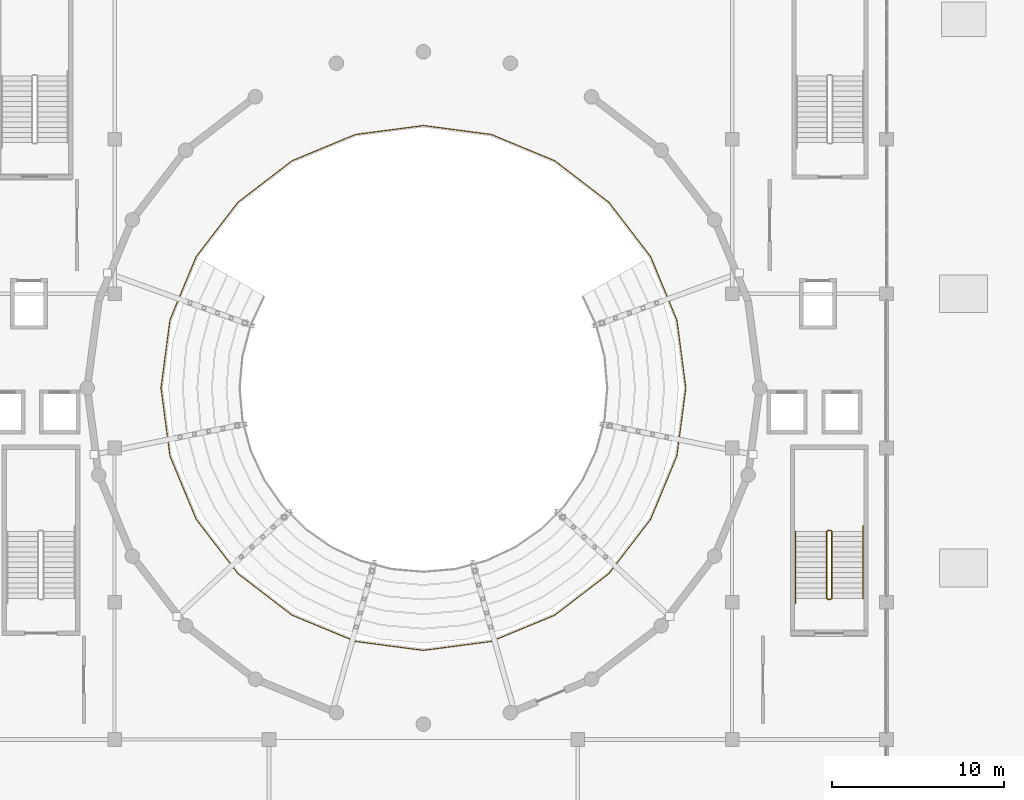
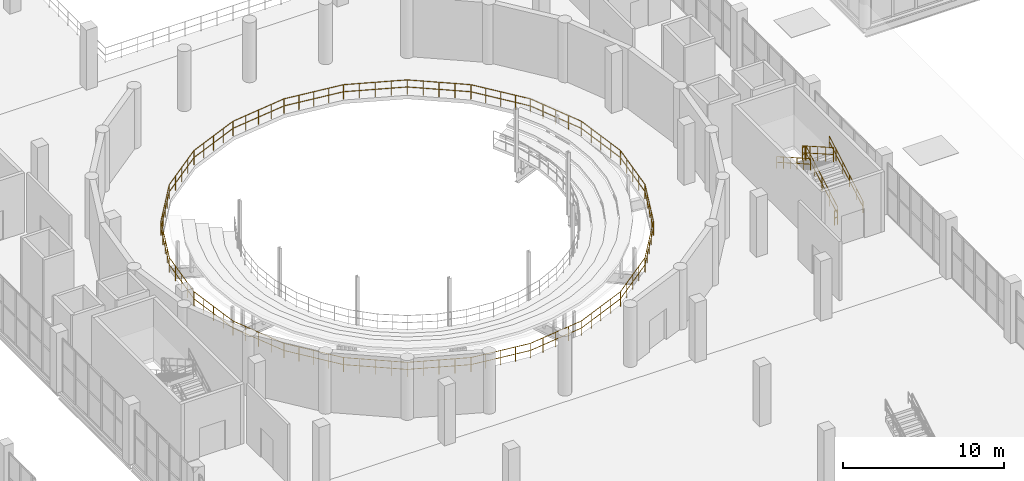
# One storey, part 87 of 93: 7 railings.
"""IFC4 building model written with IfcOpenShell, lengths in metres."""

from ifc_helpers import new_model, si_unit, direction, frame, origin, origin_2d, place, context, subcontext, project, spatial, circle, extrude, material, type_object, element, save


model = new_model("IFC4")

# Units and contexts
model_context = context("Model", 3, precision=1e-05, world=origin(), true_north=direction((0.0, 1.0)))
body_context = subcontext(model_context, "Body", "Model", "MODEL_VIEW")
ifc_project = project(units=[si_unit("LENGTHUNIT", "METRE"), si_unit("AREAUNIT", "SQUARE_METRE"), si_unit("VOLUMEUNIT", "CUBIC_METRE"), si_unit("PLANEANGLEUNIT", "RADIAN"), si_unit("MASSUNIT", "GRAM", prefix="KILO")], contexts=[model_context])

# Site, building, storey
site_placement = place(None, origin())
site = spatial("IfcSite", under=ifc_project, at=site_placement, CompositionType="ELEMENT")
building_placement = place(site_placement, origin())
building = spatial("IfcBuilding", under=site, at=building_placement, Name="Marnock Terrace Opera House", CompositionType="ELEMENT")
storey_placement = place(building_placement, frame((0.0, 0.0, 5.39990234375)))
storey = spatial("IfcBuildingStorey", under=building, at=storey_placement, Name="L01", CompositionType="ELEMENT", Elevation=5.39990234375)

# Railings
ifc_material = material(Name="Architectural bronze balustrade")
railing_type_1 = type_object("IfcRailingType", Name="RL-ATRIUM-1120", PredefinedType="BALUSTRADE", material=ifc_material)
railing_1_placement = place(storey_placement, frame((97.300048828125, 60.5, 0.0)))
element("IfcRailing", 1, at=railing_1_placement, inside=storey, type_object=railing_type_1, Name="L01 floor opening balustrade AUD-BOWL", PredefinedType="BALUSTRADE", context=body_context, shape_type="SweptSolid", body=[
    extrude(circle(Radius=0.02392578125, at=origin_2d()), frame((0.0, 0.0, 1.09619140625), z_axis=(-0.130441863031, 0.991455959874, 0.0), x_axis=(-0.991455959874, -0.130441863031, 0.0)), (0.0, 0.0, 1.0), 3.994140625),
    extrude(circle(Radius=0.02392578125, at=origin_2d()), frame((0.0, 0.0, 0.56005859375), z_axis=(-0.130441863031, 0.991455959874, 0.0), x_axis=(-0.991455959874, -0.130441863031, 0.0)), (0.0, 0.0, 1.0), 3.994140625),
    extrude(circle(Radius=0.02392578125, at=origin_2d()), frame((-0.52099609375, 3.9599609375, 1.09619140625), z_axis=(-0.382817835692, 0.923823849376, 0.0), x_axis=(-0.923823849376, -0.382817835692, 0.0)), (0.0, 0.0, 1.0), 3.994140625),
    extrude(circle(Radius=0.02392578125, at=origin_2d()), frame((-0.52099609375, 3.9599609375, 0.56005859375), z_axis=(-0.382817835692, 0.923823849376, 0.0), x_axis=(-0.923823849376, -0.382817835692, 0.0)), (0.0, 0.0, 1.0), 3.994140625),
    extrude(circle(Radius=0.02392578125, at=origin_2d()), frame((-2.050048828125, 7.64990234375, 1.09619140625), z_axis=(-0.6086201623, 0.793461718069, 0.0), x_axis=(-0.793461718069, -0.6086201623, 0.0)), (0.0, 0.0, 1.0), 3.994140625),
    extrude(circle(Radius=0.02392578125, at=origin_2d()), frame((-2.050048828125, 7.64990234375, 0.56005859375), z_axis=(-0.6086201623, 0.793461718069, 0.0), x_axis=(-0.793461718069, -0.6086201623, 0.0)), (0.0, 0.0, 1.0), 3.994140625),
    extrude(circle(Radius=0.02392578125, at=origin_2d()), frame((-4.48095703125, 10.819091796875, 1.09619140625), z_axis=(-0.793461718069, 0.6086201623, 0.0), x_axis=(-0.6086201623, -0.793461718069, 0.0)), (0.0, 0.0, 1.0), 3.994140625),
    extrude(circle(Radius=0.02392578125, at=origin_2d()), frame((-4.48095703125, 10.819091796875, 0.56005859375), z_axis=(-0.793461718069, 0.6086201623, 0.0), x_axis=(-0.6086201623, -0.793461718069, 0.0)), (0.0, 0.0, 1.0), 3.994140625),
    extrude(circle(Radius=0.02392578125, at=origin_2d()), frame((-7.650146484375, 13.25, 1.09619140625), z_axis=(-0.923823849376, 0.382817835692, 0.0), x_axis=(-0.382817835692, -0.923823849376, 0.0)), (0.0, 0.0, 1.0), 3.994140625),
    extrude(circle(Radius=0.02392578125, at=origin_2d()), frame((-7.650146484375, 13.25, 0.56005859375), z_axis=(-0.923823849376, 0.382817835692, 0.0), x_axis=(-0.382817835692, -0.923823849376, 0.0)), (0.0, 0.0, 1.0), 3.994140625),
    extrude(circle(Radius=0.02392578125, at=origin_2d()), frame((-11.340087890625, 14.779052734375, 1.09619140625), z_axis=(-0.991455959874, 0.130441863031, 0.0), x_axis=(-0.130441863031, -0.991455959874, 0.0)), (0.0, 0.0, 1.0), 3.994140625),
    extrude(circle(Radius=0.02392578125, at=origin_2d()), frame((-11.340087890625, 14.779052734375, 0.56005859375), z_axis=(-0.991455959874, 0.130441863031, 0.0), x_axis=(-0.130441863031, -0.991455959874, 0.0)), (0.0, 0.0, 1.0), 3.994140625),
    extrude(circle(Radius=0.02392578125, at=origin_2d()), frame((-15.300048828125, 15.300048828125, 1.09619140625), z_axis=(-0.991455959874, -0.130441863031, 0.0), x_axis=(0.130441863031, -0.991455959874, 0.0)), (0.0, 0.0, 1.0), 3.994140625),
    extrude(circle(Radius=0.02392578125, at=origin_2d()), frame((-15.300048828125, 15.300048828125, 0.56005859375), z_axis=(-0.991455959874, -0.130441863031, 0.0), x_axis=(0.130441863031, -0.991455959874, 0.0)), (0.0, 0.0, 1.0), 3.994140625),
    extrude(circle(Radius=0.02392578125, at=origin_2d()), frame((-19.260009765625, 14.779052734375, 1.09619140625), z_axis=(-0.923823849376, -0.382817835692, 0.0), x_axis=(0.382817835692, -0.923823849376, 0.0)), (0.0, 0.0, 1.0), 3.994140625),
    extrude(circle(Radius=0.02392578125, at=origin_2d()), frame((-19.260009765625, 14.779052734375, 0.56005859375), z_axis=(-0.923823849376, -0.382817835692, 0.0), x_axis=(0.382817835692, -0.923823849376, 0.0)), (0.0, 0.0, 1.0), 3.994140625),
    extrude(circle(Radius=0.02392578125, at=origin_2d()), frame((-22.949951171875, 13.25, 1.09619140625), z_axis=(-0.793461718069, -0.6086201623, 0.0), x_axis=(0.6086201623, -0.793461718069, 0.0)), (0.0, 0.0, 1.0), 3.994140625),
    extrude(circle(Radius=0.02392578125, at=origin_2d()), frame((-22.949951171875, 13.25, 0.56005859375), z_axis=(-0.793461718069, -0.6086201623, 0.0), x_axis=(0.6086201623, -0.793461718069, 0.0)), (0.0, 0.0, 1.0), 3.994140625),
    extrude(circle(Radius=0.02392578125, at=origin_2d()), frame((-26.119140625, 10.819091796875, 1.09619140625), z_axis=(-0.6086201623, -0.793461718069, 0.0), x_axis=(0.793461718069, -0.6086201623, 0.0)), (0.0, 0.0, 1.0), 3.994140625),
    extrude(circle(Radius=0.02392578125, at=origin_2d()), frame((-26.119140625, 10.819091796875, 0.56005859375), z_axis=(-0.6086201623, -0.793461718069, 0.0), x_axis=(0.793461718069, -0.6086201623, 0.0)), (0.0, 0.0, 1.0), 3.994140625),
    extrude(circle(Radius=0.02392578125, at=origin_2d()), frame((-28.550048828125, 7.64990234375, 1.09619140625), z_axis=(-0.382817835692, -0.923823849376, 0.0), x_axis=(0.923823849376, -0.382817835692, 0.0)), (0.0, 0.0, 1.0), 3.994140625),
    extrude(circle(Radius=0.02392578125, at=origin_2d()), frame((-28.550048828125, 7.64990234375, 0.56005859375), z_axis=(-0.382817835692, -0.923823849376, 0.0), x_axis=(0.923823849376, -0.382817835692, 0.0)), (0.0, 0.0, 1.0), 3.994140625),
    extrude(circle(Radius=0.02392578125, at=origin_2d()), frame((-30.0791015625, 3.9599609375, 1.09619140625), z_axis=(-0.130441863031, -0.991455959874, 0.0), x_axis=(0.991455959874, -0.130441863031, 0.0)), (0.0, 0.0, 1.0), 3.994140625),
    extrude(circle(Radius=0.02392578125, at=origin_2d()), frame((-30.0791015625, 3.9599609375, 0.56005859375), z_axis=(-0.130441863031, -0.991455959874, 0.0), x_axis=(0.991455959874, -0.130441863031, 0.0)), (0.0, 0.0, 1.0), 3.994140625),
    extrude(circle(Radius=0.02392578125, at=origin_2d()), frame((-30.60009765625, 0.0, 1.09619140625), z_axis=(0.130441863031, -0.991455959874, 0.0), x_axis=(0.991455959874, 0.130441863031, 0.0)), (0.0, 0.0, 1.0), 3.994140625),
    extrude(circle(Radius=0.02392578125, at=origin_2d()), frame((-30.60009765625, 0.0, 0.56005859375), z_axis=(0.130441863031, -0.991455959874, 0.0), x_axis=(0.991455959874, 0.130441863031, 0.0)), (0.0, 0.0, 1.0), 3.994140625),
    extrude(circle(Radius=0.02392578125, at=origin_2d()), frame((-30.0791015625, -3.9599609375, 1.09619140625), z_axis=(0.382817835692, -0.923823849376, 0.0), x_axis=(0.923823849376, 0.382817835692, 0.0)), (0.0, 0.0, 1.0), 3.994140625),
    extrude(circle(Radius=0.02392578125, at=origin_2d()), frame((-30.0791015625, -3.9599609375, 0.56005859375), z_axis=(0.382817835692, -0.923823849376, 0.0), x_axis=(0.923823849376, 0.382817835692, 0.0)), (0.0, 0.0, 1.0), 3.994140625),
    extrude(circle(Radius=0.02392578125, at=origin_2d()), frame((-28.550048828125, -7.64990234375, 1.09619140625), z_axis=(0.6086201623, -0.793461718069, 0.0), x_axis=(0.793461718069, 0.6086201623, 0.0)), (0.0, 0.0, 1.0), 3.994140625),
    extrude(circle(Radius=0.02392578125, at=origin_2d()), frame((-28.550048828125, -7.64990234375, 0.56005859375), z_axis=(0.6086201623, -0.793461718069, 0.0), x_axis=(0.793461718069, 0.6086201623, 0.0)), (0.0, 0.0, 1.0), 3.994140625),
    extrude(circle(Radius=0.02392578125, at=origin_2d()), frame((-26.119140625, -10.819091796875, 1.09619140625), z_axis=(0.793461718069, -0.6086201623, 0.0), x_axis=(0.6086201623, 0.793461718069, 0.0)), (0.0, 0.0, 1.0), 3.994140625),
    extrude(circle(Radius=0.02392578125, at=origin_2d()), frame((-26.119140625, -10.819091796875, 0.56005859375), z_axis=(0.793461718069, -0.6086201623, 0.0), x_axis=(0.6086201623, 0.793461718069, 0.0)), (0.0, 0.0, 1.0), 3.994140625),
    extrude(circle(Radius=0.02392578125, at=origin_2d()), frame((-22.949951171875, -13.25, 1.09619140625), z_axis=(0.923823849376, -0.382817835692, 0.0), x_axis=(0.382817835692, 0.923823849376, 0.0)), (0.0, 0.0, 1.0), 3.994140625),
    extrude(circle(Radius=0.02392578125, at=origin_2d()), frame((-22.949951171875, -13.25, 0.56005859375), z_axis=(0.923823849376, -0.382817835692, 0.0), x_axis=(0.382817835692, 0.923823849376, 0.0)), (0.0, 0.0, 1.0), 3.994140625),
    extrude(circle(Radius=0.02392578125, at=origin_2d()), frame((-19.260009765625, -14.779052734375, 1.09619140625), z_axis=(0.991455959874, -0.130441863031, 0.0), x_axis=(0.130441863031, 0.991455959874, 0.0)), (0.0, 0.0, 1.0), 3.994140625),
    extrude(circle(Radius=0.02392578125, at=origin_2d()), frame((-19.260009765625, -14.779052734375, 0.56005859375), z_axis=(0.991455959874, -0.130441863031, 0.0), x_axis=(0.130441863031, 0.991455959874, 0.0)), (0.0, 0.0, 1.0), 3.994140625),
    extrude(circle(Radius=0.02392578125, at=origin_2d()), frame((-15.300048828125, -15.300048828125, 1.09619140625), z_axis=(0.991455959874, 0.130441863031, 0.0), x_axis=(-0.130441863031, 0.991455959874, 0.0)), (0.0, 0.0, 1.0), 3.994140625),
    extrude(circle(Radius=0.02392578125, at=origin_2d()), frame((-15.300048828125, -15.300048828125, 0.56005859375), z_axis=(0.991455959874, 0.130441863031, 0.0), x_axis=(-0.130441863031, 0.991455959874, 0.0)), (0.0, 0.0, 1.0), 3.994140625),
    extrude(circle(Radius=0.02392578125, at=origin_2d()), frame((-11.340087890625, -14.779052734375, 1.09619140625), z_axis=(0.923823849376, 0.382817835692, 0.0), x_axis=(-0.382817835692, 0.923823849376, 0.0)), (0.0, 0.0, 1.0), 3.994140625),
    extrude(circle(Radius=0.02392578125, at=origin_2d()), frame((-11.340087890625, -14.779052734375, 0.56005859375), z_axis=(0.923823849376, 0.382817835692, 0.0), x_axis=(-0.382817835692, 0.923823849376, 0.0)), (0.0, 0.0, 1.0), 3.994140625),
    extrude(circle(Radius=0.02392578125, at=origin_2d()), frame((-7.650146484375, -13.25, 1.09619140625), z_axis=(0.793461718069, 0.6086201623, 0.0), x_axis=(-0.6086201623, 0.793461718069, 0.0)), (0.0, 0.0, 1.0), 3.994140625),
    extrude(circle(Radius=0.02392578125, at=origin_2d()), frame((-7.650146484375, -13.25, 0.56005859375), z_axis=(0.793461718069, 0.6086201623, 0.0), x_axis=(-0.6086201623, 0.793461718069, 0.0)), (0.0, 0.0, 1.0), 3.994140625),
    extrude(circle(Radius=0.02392578125, at=origin_2d()), frame((-4.48095703125, -10.819091796875, 1.09619140625), z_axis=(0.6086201623, 0.793461718069, 0.0), x_axis=(-0.793461718069, 0.6086201623, 0.0)), (0.0, 0.0, 1.0), 3.994140625),
    extrude(circle(Radius=0.02392578125, at=origin_2d()), frame((-4.48095703125, -10.819091796875, 0.56005859375), z_axis=(0.6086201623, 0.793461718069, 0.0), x_axis=(-0.793461718069, 0.6086201623, 0.0)), (0.0, 0.0, 1.0), 3.994140625),
    extrude(circle(Radius=0.02392578125, at=origin_2d()), frame((-2.050048828125, -7.64990234375, 1.09619140625), z_axis=(0.382817835692, 0.923823849376, 0.0), x_axis=(-0.923823849376, 0.382817835692, 0.0)), (0.0, 0.0, 1.0), 3.994140625),
    extrude(circle(Radius=0.02392578125, at=origin_2d()), frame((-2.050048828125, -7.64990234375, 0.56005859375), z_axis=(0.382817835692, 0.923823849376, 0.0), x_axis=(-0.923823849376, 0.382817835692, 0.0)), (0.0, 0.0, 1.0), 3.994140625),
    extrude(circle(Radius=0.02392578125, at=origin_2d()), frame((-0.52099609375, -3.9599609375, 1.09619140625), z_axis=(0.130441863031, 0.991455959874, 0.0), x_axis=(-0.991455959874, 0.130441863031, 0.0)), (0.0, 0.0, 1.0), 3.994140625),
    extrude(circle(Radius=0.02392578125, at=origin_2d()), frame((-0.52099609375, -3.9599609375, 0.56005859375), z_axis=(0.130441863031, 0.991455959874, 0.0), x_axis=(-0.991455959874, 0.130441863031, 0.0)), (0.0, 0.0, 1.0), 3.994140625),
    extrude(circle(Radius=0.02099609375, at=origin_2d()), origin(), (0.0, 0.0, 1.0), 1.072021484375),
    extrude(circle(Radius=0.02099609375, at=origin_2d()), frame((-0.13037109375, 0.989990234375, 0.0)), (0.0, 0.0, 1.0), 1.072021484375),
    extrude(circle(Radius=0.02099609375, at=origin_2d()), frame((-0.260498046875, 1.97998046875, 0.0)), (0.0, 0.0, 1.0), 1.072021484375),
    extrude(circle(Radius=0.02099609375, at=origin_2d()), frame((-0.390625, 2.969970703125, 0.0)), (0.0, 0.0, 1.0), 1.072021484375),
    extrude(circle(Radius=0.02099609375, at=origin_2d()), frame((-0.52099609375, 3.9599609375, 0.0)), (0.0, 0.0, 1.0), 1.072021484375),
    extrude(circle(Radius=0.02099609375, at=origin_2d()), frame((-0.9033203125, 4.88232421875, 0.0)), (0.0, 0.0, 1.0), 1.072021484375),
    extrude(circle(Radius=0.02099609375, at=origin_2d()), frame((-1.28564453125, 5.804931640625, 0.0)), (0.0, 0.0, 1.0), 1.072021484375),
    extrude(circle(Radius=0.02099609375, at=origin_2d()), frame((-1.667724609375, 6.7275390625, 0.0)), (0.0, 0.0, 1.0), 1.072021484375),
    extrude(circle(Radius=0.02099609375, at=origin_2d()), frame((-2.050048828125, 7.64990234375, 0.0)), (0.0, 0.0, 1.0), 1.072021484375),
    extrude(circle(Radius=0.02099609375, at=origin_2d()), frame((-2.65771484375, 8.442138671875, 0.0)), (0.0, 0.0, 1.0), 1.072021484375),
    extrude(circle(Radius=0.02099609375, at=origin_2d()), frame((-3.265625, 9.234375, 0.0)), (0.0, 0.0, 1.0), 1.072021484375),
    extrude(circle(Radius=0.02099609375, at=origin_2d()), frame((-3.873291015625, 10.02685546875, 0.0)), (0.0, 0.0, 1.0), 1.072021484375),
    extrude(circle(Radius=0.02099609375, at=origin_2d()), frame((-4.48095703125, 10.819091796875, 0.0)), (0.0, 0.0, 1.0), 1.072021484375),
    extrude(circle(Radius=0.02099609375, at=origin_2d()), frame((-5.273193359375, 11.4267578125, 0.0)), (0.0, 0.0, 1.0), 1.072021484375),
    extrude(circle(Radius=0.02099609375, at=origin_2d()), frame((-6.0654296875, 12.03466796875, 0.0)), (0.0, 0.0, 1.0), 1.072021484375),
    extrude(circle(Radius=0.02099609375, at=origin_2d()), frame((-6.85791015625, 12.642333984375, 0.0)), (0.0, 0.0, 1.0), 1.072021484375),
    extrude(circle(Radius=0.02099609375, at=origin_2d()), frame((-7.650146484375, 13.25, 0.0)), (0.0, 0.0, 1.0), 1.072021484375),
    extrude(circle(Radius=0.02099609375, at=origin_2d()), frame((-8.57275390625, 13.63232421875, 0.0)), (0.0, 0.0, 1.0), 1.072021484375),
    extrude(circle(Radius=0.02099609375, at=origin_2d()), frame((-9.4951171875, 14.0146484375, 0.0)), (0.0, 0.0, 1.0), 1.072021484375),
    extrude(circle(Radius=0.02099609375, at=origin_2d()), frame((-10.41748046875, 14.396728515625, 0.0)), (0.0, 0.0, 1.0), 1.072021484375),
    extrude(circle(Radius=0.02099609375, at=origin_2d()), frame((-11.340087890625, 14.779052734375, 0.0)), (0.0, 0.0, 1.0), 1.072021484375),
    extrude(circle(Radius=0.02099609375, at=origin_2d()), frame((-12.330078125, 14.9091796875, 0.0)), (0.0, 0.0, 1.0), 1.072021484375),
    extrude(circle(Radius=0.02099609375, at=origin_2d()), frame((-13.320068359375, 15.03955078125, 0.0)), (0.0, 0.0, 1.0), 1.072021484375),
    extrude(circle(Radius=0.02099609375, at=origin_2d()), frame((-14.31005859375, 15.169921875, 0.0)), (0.0, 0.0, 1.0), 1.072021484375),
    extrude(circle(Radius=0.02099609375, at=origin_2d()), frame((-15.300048828125, 15.300048828125, 0.0)), (0.0, 0.0, 1.0), 1.072021484375),
    extrude(circle(Radius=0.02099609375, at=origin_2d()), frame((-16.2900390625, 15.169921875, 0.0)), (0.0, 0.0, 1.0), 1.072021484375),
    extrude(circle(Radius=0.02099609375, at=origin_2d()), frame((-17.280029296875, 15.03955078125, 0.0)), (0.0, 0.0, 1.0), 1.072021484375),
    extrude(circle(Radius=0.02099609375, at=origin_2d()), frame((-18.27001953125, 14.9091796875, 0.0)), (0.0, 0.0, 1.0), 1.072021484375),
    extrude(circle(Radius=0.02099609375, at=origin_2d()), frame((-19.260009765625, 14.779052734375, 0.0)), (0.0, 0.0, 1.0), 1.072021484375),
    extrude(circle(Radius=0.02099609375, at=origin_2d()), frame((-20.1826171875, 14.396728515625, 0.0)), (0.0, 0.0, 1.0), 1.072021484375),
    extrude(circle(Radius=0.02099609375, at=origin_2d()), frame((-21.10498046875, 14.0146484375, 0.0)), (0.0, 0.0, 1.0), 1.072021484375),
    extrude(circle(Radius=0.02099609375, at=origin_2d()), frame((-22.02734375, 13.63232421875, 0.0)), (0.0, 0.0, 1.0), 1.072021484375),
    extrude(circle(Radius=0.02099609375, at=origin_2d()), frame((-22.949951171875, 13.25, 0.0)), (0.0, 0.0, 1.0), 1.072021484375),
    extrude(circle(Radius=0.02099609375, at=origin_2d()), frame((-23.7421875, 12.642333984375, 0.0)), (0.0, 0.0, 1.0), 1.072021484375),
    extrude(circle(Radius=0.02099609375, at=origin_2d()), frame((-24.53466796875, 12.03466796875, 0.0)), (0.0, 0.0, 1.0), 1.072021484375),
    extrude(circle(Radius=0.02099609375, at=origin_2d()), frame((-25.326904296875, 11.4267578125, 0.0)), (0.0, 0.0, 1.0), 1.072021484375),
    extrude(circle(Radius=0.02099609375, at=origin_2d()), frame((-26.119140625, 10.819091796875, 0.0)), (0.0, 0.0, 1.0), 1.072021484375),
    extrude(circle(Radius=0.02099609375, at=origin_2d()), frame((-26.726806640625, 10.02685546875, 0.0)), (0.0, 0.0, 1.0), 1.072021484375),
    extrude(circle(Radius=0.02099609375, at=origin_2d()), frame((-27.33447265625, 9.234375, 0.0)), (0.0, 0.0, 1.0), 1.072021484375),
    extrude(circle(Radius=0.02099609375, at=origin_2d()), frame((-27.9423828125, 8.442138671875, 0.0)), (0.0, 0.0, 1.0), 1.072021484375),
    extrude(circle(Radius=0.02099609375, at=origin_2d()), frame((-28.550048828125, 7.64990234375, 0.0)), (0.0, 0.0, 1.0), 1.072021484375),
    extrude(circle(Radius=0.02099609375, at=origin_2d()), frame((-28.932373046875, 6.7275390625, 0.0)), (0.0, 0.0, 1.0), 1.072021484375),
    extrude(circle(Radius=0.02099609375, at=origin_2d()), frame((-29.314453125, 5.804931640625, 0.0)), (0.0, 0.0, 1.0), 1.072021484375),
    extrude(circle(Radius=0.02099609375, at=origin_2d()), frame((-29.69677734375, 4.88232421875, 0.0)), (0.0, 0.0, 1.0), 1.072021484375),
    extrude(circle(Radius=0.02099609375, at=origin_2d()), frame((-30.0791015625, 3.9599609375, 0.0)), (0.0, 0.0, 1.0), 1.072021484375),
    extrude(circle(Radius=0.02099609375, at=origin_2d()), frame((-30.20947265625, 2.969970703125, 0.0)), (0.0, 0.0, 1.0), 1.072021484375),
    extrude(circle(Radius=0.02099609375, at=origin_2d()), frame((-30.339599609375, 1.97998046875, 0.0)), (0.0, 0.0, 1.0), 1.072021484375),
    extrude(circle(Radius=0.02099609375, at=origin_2d()), frame((-30.4697265625, 0.989990234375, 0.0)), (0.0, 0.0, 1.0), 1.072021484375),
    extrude(circle(Radius=0.02099609375, at=origin_2d()), frame((-30.60009765625, 0.0, 0.0)), (0.0, 0.0, 1.0), 1.072021484375),
    extrude(circle(Radius=0.02099609375, at=origin_2d()), frame((-30.4697265625, -0.989990234375, 0.0)), (0.0, 0.0, 1.0), 1.072021484375),
    extrude(circle(Radius=0.02099609375, at=origin_2d()), frame((-30.339599609375, -1.97998046875, 0.0)), (0.0, 0.0, 1.0), 1.072021484375),
    extrude(circle(Radius=0.02099609375, at=origin_2d()), frame((-30.20947265625, -2.969970703125, 0.0)), (0.0, 0.0, 1.0), 1.072021484375),
    extrude(circle(Radius=0.02099609375, at=origin_2d()), frame((-30.0791015625, -3.9599609375, 0.0)), (0.0, 0.0, 1.0), 1.072021484375),
    extrude(circle(Radius=0.02099609375, at=origin_2d()), frame((-29.69677734375, -4.88232421875, 0.0)), (0.0, 0.0, 1.0), 1.072021484375),
    extrude(circle(Radius=0.02099609375, at=origin_2d()), frame((-29.314453125, -5.804931640625, 0.0)), (0.0, 0.0, 1.0), 1.072021484375),
    extrude(circle(Radius=0.02099609375, at=origin_2d()), frame((-28.932373046875, -6.7275390625, 0.0)), (0.0, 0.0, 1.0), 1.072021484375),
    extrude(circle(Radius=0.02099609375, at=origin_2d()), frame((-28.550048828125, -7.64990234375, 0.0)), (0.0, 0.0, 1.0), 1.072021484375),
    extrude(circle(Radius=0.02099609375, at=origin_2d()), frame((-27.9423828125, -8.442138671875, 0.0)), (0.0, 0.0, 1.0), 1.072021484375),
    extrude(circle(Radius=0.02099609375, at=origin_2d()), frame((-27.33447265625, -9.234375, 0.0)), (0.0, 0.0, 1.0), 1.072021484375),
    extrude(circle(Radius=0.02099609375, at=origin_2d()), frame((-26.726806640625, -10.02685546875, 0.0)), (0.0, 0.0, 1.0), 1.072021484375),
    extrude(circle(Radius=0.02099609375, at=origin_2d()), frame((-26.119140625, -10.819091796875, 0.0)), (0.0, 0.0, 1.0), 1.072021484375),
    extrude(circle(Radius=0.02099609375, at=origin_2d()), frame((-25.326904296875, -11.4267578125, 0.0)), (0.0, 0.0, 1.0), 1.072021484375),
    extrude(circle(Radius=0.02099609375, at=origin_2d()), frame((-24.53466796875, -12.03466796875, 0.0)), (0.0, 0.0, 1.0), 1.072021484375),
    extrude(circle(Radius=0.02099609375, at=origin_2d()), frame((-23.7421875, -12.642333984375, 0.0)), (0.0, 0.0, 1.0), 1.072021484375),
    extrude(circle(Radius=0.02099609375, at=origin_2d()), frame((-22.949951171875, -13.25, 0.0)), (0.0, 0.0, 1.0), 1.072021484375),
    extrude(circle(Radius=0.02099609375, at=origin_2d()), frame((-22.02734375, -13.63232421875, 0.0)), (0.0, 0.0, 1.0), 1.072021484375),
    extrude(circle(Radius=0.02099609375, at=origin_2d()), frame((-21.10498046875, -14.0146484375, 0.0)), (0.0, 0.0, 1.0), 1.072021484375),
    extrude(circle(Radius=0.02099609375, at=origin_2d()), frame((-20.1826171875, -14.396728515625, 0.0)), (0.0, 0.0, 1.0), 1.072021484375),
    extrude(circle(Radius=0.02099609375, at=origin_2d()), frame((-19.260009765625, -14.779052734375, 0.0)), (0.0, 0.0, 1.0), 1.072021484375),
    extrude(circle(Radius=0.02099609375, at=origin_2d()), frame((-18.27001953125, -14.9091796875, 0.0)), (0.0, 0.0, 1.0), 1.072021484375),
    extrude(circle(Radius=0.02099609375, at=origin_2d()), frame((-17.280029296875, -15.03955078125, 0.0)), (0.0, 0.0, 1.0), 1.072021484375),
    extrude(circle(Radius=0.02099609375, at=origin_2d()), frame((-16.2900390625, -15.169921875, 0.0)), (0.0, 0.0, 1.0), 1.072021484375),
    extrude(circle(Radius=0.02099609375, at=origin_2d()), frame((-15.300048828125, -15.300048828125, 0.0)), (0.0, 0.0, 1.0), 1.072021484375),
    extrude(circle(Radius=0.02099609375, at=origin_2d()), frame((-14.31005859375, -15.169921875, 0.0)), (0.0, 0.0, 1.0), 1.072021484375),
    extrude(circle(Radius=0.02099609375, at=origin_2d()), frame((-13.320068359375, -15.03955078125, 0.0)), (0.0, 0.0, 1.0), 1.072021484375),
    extrude(circle(Radius=0.02099609375, at=origin_2d()), frame((-12.330078125, -14.9091796875, 0.0)), (0.0, 0.0, 1.0), 1.072021484375),
    extrude(circle(Radius=0.02099609375, at=origin_2d()), frame((-11.340087890625, -14.779052734375, 0.0)), (0.0, 0.0, 1.0), 1.072021484375),
    extrude(circle(Radius=0.02099609375, at=origin_2d()), frame((-10.41748046875, -14.396728515625, 0.0)), (0.0, 0.0, 1.0), 1.072021484375),
    extrude(circle(Radius=0.02099609375, at=origin_2d()), frame((-9.4951171875, -14.0146484375, 0.0)), (0.0, 0.0, 1.0), 1.072021484375),
    extrude(circle(Radius=0.02099609375, at=origin_2d()), frame((-8.57275390625, -13.63232421875, 0.0)), (0.0, 0.0, 1.0), 1.072021484375),
    extrude(circle(Radius=0.02099609375, at=origin_2d()), frame((-7.650146484375, -13.25, 0.0)), (0.0, 0.0, 1.0), 1.072021484375),
    extrude(circle(Radius=0.02099609375, at=origin_2d()), frame((-6.85791015625, -12.642333984375, 0.0)), (0.0, 0.0, 1.0), 1.072021484375),
    extrude(circle(Radius=0.02099609375, at=origin_2d()), frame((-6.0654296875, -12.03466796875, 0.0)), (0.0, 0.0, 1.0), 1.072021484375),
    extrude(circle(Radius=0.02099609375, at=origin_2d()), frame((-5.273193359375, -11.4267578125, 0.0)), (0.0, 0.0, 1.0), 1.072021484375),
    extrude(circle(Radius=0.02099609375, at=origin_2d()), frame((-4.48095703125, -10.819091796875, 0.0)), (0.0, 0.0, 1.0), 1.072021484375),
    extrude(circle(Radius=0.02099609375, at=origin_2d()), frame((-3.873291015625, -10.02685546875, 0.0)), (0.0, 0.0, 1.0), 1.072021484375),
    extrude(circle(Radius=0.02099609375, at=origin_2d()), frame((-3.265625, -9.234375, 0.0)), (0.0, 0.0, 1.0), 1.072021484375),
    extrude(circle(Radius=0.02099609375, at=origin_2d()), frame((-2.65771484375, -8.442138671875, 0.0)), (0.0, 0.0, 1.0), 1.072021484375),
    extrude(circle(Radius=0.02099609375, at=origin_2d()), frame((-2.050048828125, -7.64990234375, 0.0)), (0.0, 0.0, 1.0), 1.072021484375),
    extrude(circle(Radius=0.02099609375, at=origin_2d()), frame((-1.667724609375, -6.7275390625, 0.0)), (0.0, 0.0, 1.0), 1.072021484375),
    extrude(circle(Radius=0.02099609375, at=origin_2d()), frame((-1.28564453125, -5.804931640625, 0.0)), (0.0, 0.0, 1.0), 1.072021484375),
    extrude(circle(Radius=0.02099609375, at=origin_2d()), frame((-0.9033203125, -4.88232421875, 0.0)), (0.0, 0.0, 1.0), 1.072021484375),
    extrude(circle(Radius=0.02099609375, at=origin_2d()), frame((-0.52099609375, -3.9599609375, 0.0)), (0.0, 0.0, 1.0), 1.072021484375),
    extrude(circle(Radius=0.02099609375, at=origin_2d()), frame((-0.390625, -2.969970703125, 0.0)), (0.0, 0.0, 1.0), 1.072021484375),
    extrude(circle(Radius=0.02099609375, at=origin_2d()), frame((-0.260498046875, -1.97998046875, 0.0)), (0.0, 0.0, 1.0), 1.072021484375),
    extrude(circle(Radius=0.02099609375, at=origin_2d()), frame((-0.13037109375, -0.989990234375, 0.0)), (0.0, 0.0, 1.0), 1.072021484375),
])
railing_type_2 = type_object("IfcRailingType", Name="RL-GUARD-1100", PredefinedType="GUARDRAIL", material=ifc_material)
railing_2_placement = place(storey_placement, frame((105.81005859375, 48.239990234375, 0.171630859375)))
element("IfcRailing", 2, at=railing_2_placement, inside=storey, type_object=railing_type_2, Name="L01 ST-02 stair guard 1", PredefinedType="GUARDRAIL", context=body_context, shape_type="SweptSolid", body=[
    extrude(circle(Radius=0.02392578125, at=origin_2d()), frame((0.0, 0.0, 1.076171875), z_axis=(0.0, 0.868243142124, 0.496138938357), x_axis=(-1.0, 0.0, 0.0)), (0.0, 0.0, 1.0), 4.49169921875),
    extrude(circle(Radius=0.02392578125, at=origin_2d()), frame((0.0, 0.0, 0.550048828125), z_axis=(0.0, 0.868243142124, 0.496138938357), x_axis=(-1.0, 0.0, 0.0)), (0.0, 0.0, 1.0), 4.49169921875),
    extrude(circle(Radius=0.02099609375, at=origin_2d()), origin(), (0.0, 0.0, 1.0), 1.052001953125),
    extrude(circle(Radius=0.02099609375, at=origin_2d()), frame((0.0, 0.97509765625, 0.55712890625)), (0.0, 0.0, 1.0), 1.052001953125),
    extrude(circle(Radius=0.02099609375, at=origin_2d()), frame((0.0, 1.949951171875, 1.1142578125)), (0.0, 0.0, 1.0), 1.052001953125),
    extrude(circle(Radius=0.02099609375, at=origin_2d()), frame((0.0, 2.9248046875, 1.67138671875)), (0.0, 0.0, 1.0), 1.052001953125),
    extrude(circle(Radius=0.02099609375, at=origin_2d()), frame((0.0, 3.89990234375, 2.228515625)), (0.0, 0.0, 1.0), 1.052001953125),
])
railing_3_placement = place(storey_placement, frame((105.760009765625, 52.18994140625, 2.400146484375)))
element("IfcRailing", 3, at=railing_3_placement, inside=storey, type_object=railing_type_2, Name="L01 ST-02 stair guard 2", PredefinedType="GUARDRAIL", context=body_context, shape_type="SweptSolid", body=[
    extrude(circle(Radius=0.02392578125, at=origin_2d()), frame((0.0, 0.0, 1.076171875), z_axis=(-1.0, 0.0, 0.0), x_axis=(0.0, -1.0, 0.0)), (0.0, 0.0, 1.0), 0.199951171875),
    extrude(circle(Radius=0.02392578125, at=origin_2d()), frame((0.0, 0.0, 0.550048828125), z_axis=(-1.0, 0.0, 0.0), x_axis=(0.0, -1.0, 0.0)), (0.0, 0.0, 1.0), 0.199951171875),
    extrude(circle(Radius=0.02099609375, at=origin_2d()), origin(), (0.0, 0.0, 1.0), 1.052001953125),
    extrude(circle(Radius=0.02099609375, at=origin_2d()), frame((-0.199951171875, 0.0, 0.0)), (0.0, 0.0, 1.0), 1.052001953125),
])
railing_4_placement = place(storey_placement, frame((105.510009765625, 52.139892578125, 2.571533203125)))
element("IfcRailing", 4, at=railing_4_placement, inside=storey, type_object=railing_type_2, Name="L01 ST-02 stair guard 3", PredefinedType="GUARDRAIL", context=body_context, shape_type="SweptSolid", body=[
    extrude(circle(Radius=0.02392578125, at=origin_2d()), frame((0.0, 0.0, 1.076171875), z_axis=(0.0, -0.868243142124, 0.496138938357), x_axis=(1.0, 0.0, 0.0)), (0.0, 0.0, 1.0), 4.49169921875),
    extrude(circle(Radius=0.02392578125, at=origin_2d()), frame((0.0, 0.0, 0.550048828125), z_axis=(0.0, -0.868243142124, 0.496138938357), x_axis=(1.0, 0.0, 0.0)), (0.0, 0.0, 1.0), 4.49169921875),
    extrude(circle(Radius=0.02099609375, at=origin_2d()), origin(), (0.0, 0.0, 1.0), 1.052001953125),
    extrude(circle(Radius=0.02099609375, at=origin_2d()), frame((0.0, -0.97509765625, 0.55712890625)), (0.0, 0.0, 1.0), 1.052001953125),
    extrude(circle(Radius=0.02099609375, at=origin_2d()), frame((0.0, -1.949951171875, 1.1142578125)), (0.0, 0.0, 1.0), 1.052001953125),
    extrude(circle(Radius=0.02099609375, at=origin_2d()), frame((0.0, -2.9248046875, 1.67138671875)), (0.0, 0.0, 1.0), 1.052001953125),
    extrude(circle(Radius=0.02099609375, at=origin_2d()), frame((0.0, -3.89990234375, 2.228515625)), (0.0, 0.0, 1.0), 1.052001953125),
])
railing_5_placement = place(storey_placement, frame((105.760009765625, 48.18994140625, 0.0)))
element("IfcRailing", 5, at=railing_5_placement, inside=storey, type_object=railing_type_2, Name="L01 ST-02 stair guard 4", PredefinedType="GUARDRAIL", context=body_context, shape_type="SweptSolid", body=[
    extrude(circle(Radius=0.02392578125, at=origin_2d()), frame((0.0, 0.0, 1.076171875), z_axis=(-1.0, 0.0, 0.0), x_axis=(0.0, -1.0, 0.0)), (0.0, 0.0, 1.0), 0.199951171875),
    extrude(circle(Radius=0.02392578125, at=origin_2d()), frame((0.0, 0.0, 0.550048828125), z_axis=(-1.0, 0.0, 0.0), x_axis=(0.0, -1.0, 0.0)), (0.0, 0.0, 1.0), 0.199951171875),
    extrude(circle(Radius=0.02099609375, at=origin_2d()), origin(), (0.0, 0.0, 1.0), 1.052001953125),
    extrude(circle(Radius=0.02099609375, at=origin_2d()), frame((-0.199951171875, 0.0, 0.0)), (0.0, 0.0, 1.0), 1.052001953125),
])
railing_type_3 = type_object("IfcRailingType", Name="RL-HAND-900", PredefinedType="HANDRAIL", material=ifc_material)
railing_6_placement = place(storey_placement, frame((107.6298828125, 48.239990234375, 0.18359375)))
element("IfcRailing", 6, at=railing_6_placement, inside=storey, type_object=railing_type_3, Name="L01 ST-02 stair handrail 1", PredefinedType="HANDRAIL", context=body_context, shape_type="SweptSolid", body=[
    extrude(circle(Radius=0.02392578125, at=origin_2d()), frame((0.0, 0.0, 0.8759765625), z_axis=(0.0, 0.868249353848, 0.496128067682), x_axis=(-1.0, 0.0, 0.0)), (0.0, 0.0, 1.0), 4.837158203125),
    extrude(circle(Radius=0.02392578125, at=origin_2d()), frame((0.0, 0.0, 0.449951171875), z_axis=(0.0, 0.868249353848, 0.496128067682), x_axis=(-1.0, 0.0, 0.0)), (0.0, 0.0, 1.0), 4.837158203125),
    extrude(circle(Radius=0.02099609375, at=origin_2d()), origin(), (0.0, 0.0, 1.0), 0.851806640625),
    extrude(circle(Radius=0.02099609375, at=origin_2d()), frame((0.0, 0.840087890625, 0.47998046875)), (0.0, 0.0, 1.0), 0.851806640625),
    extrude(circle(Radius=0.02099609375, at=origin_2d()), frame((0.0, 1.679931640625, 0.9599609375)), (0.0, 0.0, 1.0), 0.851806640625),
    extrude(circle(Radius=0.02099609375, at=origin_2d()), frame((0.0, 2.52001953125, 1.43994140625)), (0.0, 0.0, 1.0), 0.851806640625),
    extrude(circle(Radius=0.02099609375, at=origin_2d()), frame((0.0, 3.35986328125, 1.919921875)), (0.0, 0.0, 1.0), 0.851806640625),
    extrude(circle(Radius=0.02099609375, at=origin_2d()), frame((0.0, 4.199951171875, 2.39990234375)), (0.0, 0.0, 1.0), 0.851806640625),
])
railing_7_placement = place(storey_placement, frame((103.68994140625, 52.139892578125, 2.58349609375)))
element("IfcRailing", 7, at=railing_7_placement, inside=storey, type_object=railing_type_3, Name="L01 ST-02 stair handrail 2", PredefinedType="HANDRAIL", context=body_context, shape_type="SweptSolid", body=[
    extrude(circle(Radius=0.02392578125, at=origin_2d()), frame((0.0, 0.0, 0.8759765625), z_axis=(0.0, -0.868227612608, 0.496166114024), x_axis=(1.0, 0.0, 0.0)), (0.0, 0.0, 1.0), 4.83740234375),
    extrude(circle(Radius=0.02392578125, at=origin_2d()), frame((0.0, 0.0, 0.449951171875), z_axis=(0.0, -0.868227612608, 0.496166114024), x_axis=(1.0, 0.0, 0.0)), (0.0, 0.0, 1.0), 4.83740234375),
    extrude(circle(Radius=0.02099609375, at=origin_2d()), origin(), (0.0, 0.0, 1.0), 0.851806640625),
    extrude(circle(Radius=0.02099609375, at=origin_2d()), frame((0.0, -0.840087890625, 0.47998046875)), (0.0, 0.0, 1.0), 0.851806640625),
    extrude(circle(Radius=0.02099609375, at=origin_2d()), frame((0.0, -1.679931640625, 0.9599609375)), (0.0, 0.0, 1.0), 0.851806640625),
    extrude(circle(Radius=0.02099609375, at=origin_2d()), frame((0.0, -2.52001953125, 1.440185546875)), (0.0, 0.0, 1.0), 0.851806640625),
    extrude(circle(Radius=0.02099609375, at=origin_2d()), frame((0.0, -3.35986328125, 1.920166015625)), (0.0, 0.0, 1.0), 0.851806640625),
    extrude(circle(Radius=0.02099609375, at=origin_2d()), frame((0.0, -4.199951171875, 2.400146484375)), (0.0, 0.0, 1.0), 0.851806640625),
])

save(model, "model.ifc")
